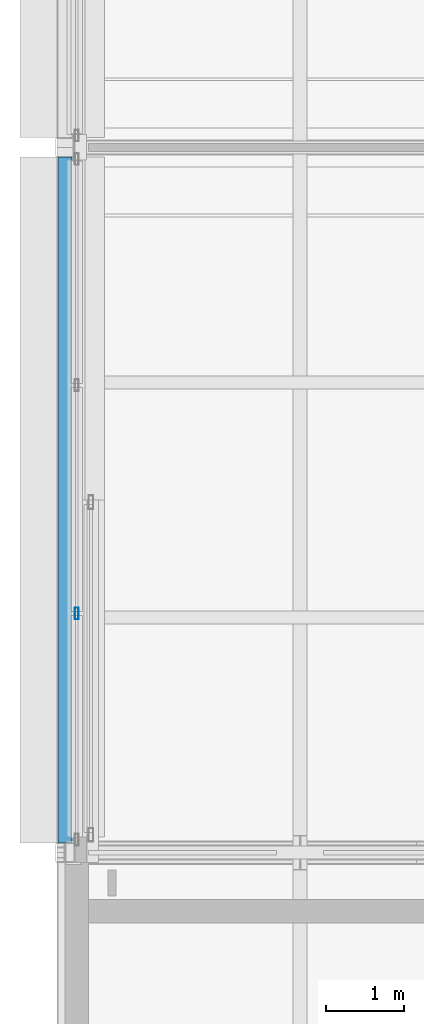
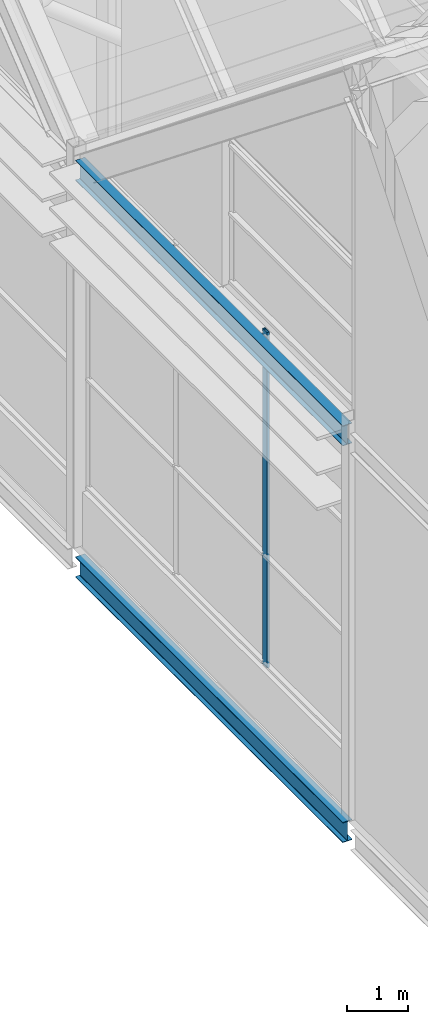
# One storey, part 14 of 144: 2 beams, 1 member, 1 element without a shape of its own.
"""IFC4 building model written with IfcOpenShell, lengths in metres."""

from ifc_helpers import new_model, si_unit, direction, frame, origin, origin_2d, place, context, subcontext, project, spatial, hollow_rectangle, i_section, extrude, material, layer, layer_set, material_profile, profile_set, type_object, element, aggregate, save


model = new_model("IFC4")

# Units and contexts
model_context = context("Model", 3, precision=1e-05, world=origin(), true_north=direction((0.0, 1.0)))
body_context = subcontext(model_context, "Body", "Model", "MODEL_VIEW")
ifc_project = project(units=[si_unit("LENGTHUNIT", "METRE"), si_unit("AREAUNIT", "SQUARE_METRE"), si_unit("VOLUMEUNIT", "CUBIC_METRE"), si_unit("PLANEANGLEUNIT", "RADIAN"), si_unit("MASSUNIT", "GRAM", prefix="KILO")], contexts=[model_context])

# Site, building, storey
site_placement = place(None, origin())
site = spatial("IfcSite", under=ifc_project, at=site_placement, CompositionType="ELEMENT")
building_placement = place(site_placement, origin())
building = spatial("IfcBuilding", under=site, at=building_placement, Name="Shorebreak Coast Museum", CompositionType="ELEMENT")
storey_placement = place(building_placement, frame((0.0, 0.0, 36.0)))
storey = spatial("IfcBuildingStorey", under=building, at=storey_placement, Name="L06", CompositionType="ELEMENT", Elevation=36.0)

# Beams
ifc_material_1 = material(Name="Steel Grade 300", Category="steel")
ifc_material_profile_1 = material_profile(ifc_material_1, i_section(OverallWidth=0.177978515625, OverallDepth=0.406494140625, WebThickness=0.0078125, FlangeThickness=0.0126953125, FilletRadius=0.011474609375, at=origin_2d()), Name="410UB59.7")
ifc_profile_set_1 = profile_set([ifc_material_profile_1], Name="Steel Grade 300")
beam_type_1 = type_object("IfcBeamType", Name="Floor girder north-south 410UB59.7", PredefinedType="BEAM", material=ifc_profile_set_1)
beam_1_placement = place(storey_placement, frame((54.0, 63.125, -0.378173828125), z_axis=(0.0, 1.0, 0.0), x_axis=(-1.0, 0.0, 0.0)))
element("IfcBeam", 1, at=beam_1_placement, inside=storey, type_object=beam_type_1, Name="Floor girder north-south L06 7H", PredefinedType="BEAM", context=body_context, shape_type="SweptSolid", body=[
    extrude(i_section(OverallWidth=0.177978515625, OverallDepth=0.406494140625, WebThickness=0.0078125, FlangeThickness=0.0126953125, FilletRadius=0.011474609375, at=origin_2d()), origin(), (0.0, 0.0, 1.0), 8.75),
])
ifc_material_2 = material(Name="Steel Grade 300", Category="steel")
ifc_material_profile_2 = material_profile(ifc_material_2, i_section(OverallWidth=0.177978515625, OverallDepth=0.402587890625, WebThickness=0.007568359375, FlangeThickness=0.010986328125, FilletRadius=0.011474609375, at=origin_2d()), Name="410UB53.7")
ifc_profile_set_2 = profile_set([ifc_material_profile_2], Name="Steel Grade 300")
beam_type_2 = type_object("IfcBeamType", Name="Fold rib tie 410UB53.7", PredefinedType="BEAM", material=ifc_profile_set_2)
beam_2_placement = place(storey_placement, frame((54.0, 63.125, 7.54248046875), z_axis=(0.0, 1.0, 0.0), x_axis=(-1.0, 0.0, 0.0)))
element("IfcBeam", 2, at=beam_2_placement, inside=storey, type_object=beam_type_2, Name="Fold rib tie FOLD-X rib 7 H-J", PredefinedType="BEAM", context=body_context, shape_type="SweptSolid", body=[
    extrude(i_section(OverallWidth=0.177978515625, OverallDepth=0.402587890625, WebThickness=0.007568359375, FlangeThickness=0.010986328125, FilletRadius=0.011474609375, at=origin_2d()), origin(), (0.0, 0.0, 1.0), 8.75),
])

# Curtain wall, member
ifc_material_3 = material(Name="Aluminium", Category="aluminium")
ifc_layer = layer(ifc_material_3, 0.14990234375)
ifc_layer_set = layer_set([ifc_layer], Name="Aluminium")
curtain_wall_type = type_object("IfcCurtainWallType", Name="Storefront curtain wall", PredefinedType="NOTDEFINED", material=ifc_layer_set)
curtain_wall_placement = place(storey_placement, origin())
curtain_wall = element("IfcCurtainWall", 3, at=curtain_wall_placement, inside=storey, type_object=curtain_wall_type, Name="Atrium Hall glazing L06 W 27", PredefinedType="NOTDEFINED")
ifc_material_4 = material(Name="Aluminium", Category="aluminium")
ifc_material_profile_3 = material_profile(ifc_material_4, hollow_rectangle(XDim=0.050048828125, YDim=0.14990234375, WallThickness=0.00390625, at=origin_2d()), Name="AL 150x50 RHS")
ifc_profile_set_3 = profile_set([ifc_material_profile_3], Name="Aluminium")
member_type = type_object("IfcMemberType", Name="Storefront mullion 50 x 150", PredefinedType="MULLION", material=ifc_profile_set_3)
member_placement = place(storey_placement, frame((54.14990234375, 66.051025390625, 1.10009765625), z_axis=(0.0, 0.0, 1.0), x_axis=(-1.0, 0.0, 0.0)))
member = element("IfcMember", 4, at=member_placement, type_object=member_type, Name="CW5 mullion 2", PredefinedType="MULLION", context=body_context, shape_type="SweptSolid", body=[
    extrude(hollow_rectangle(XDim=0.050048828125, YDim=0.14990234375, WallThickness=0.00390625, at=origin_2d()), origin(), (0.0, 0.0, 1.0), 6.699951171875),
])
aggregate(curtain_wall, [member])

save(model, "model.ifc")
